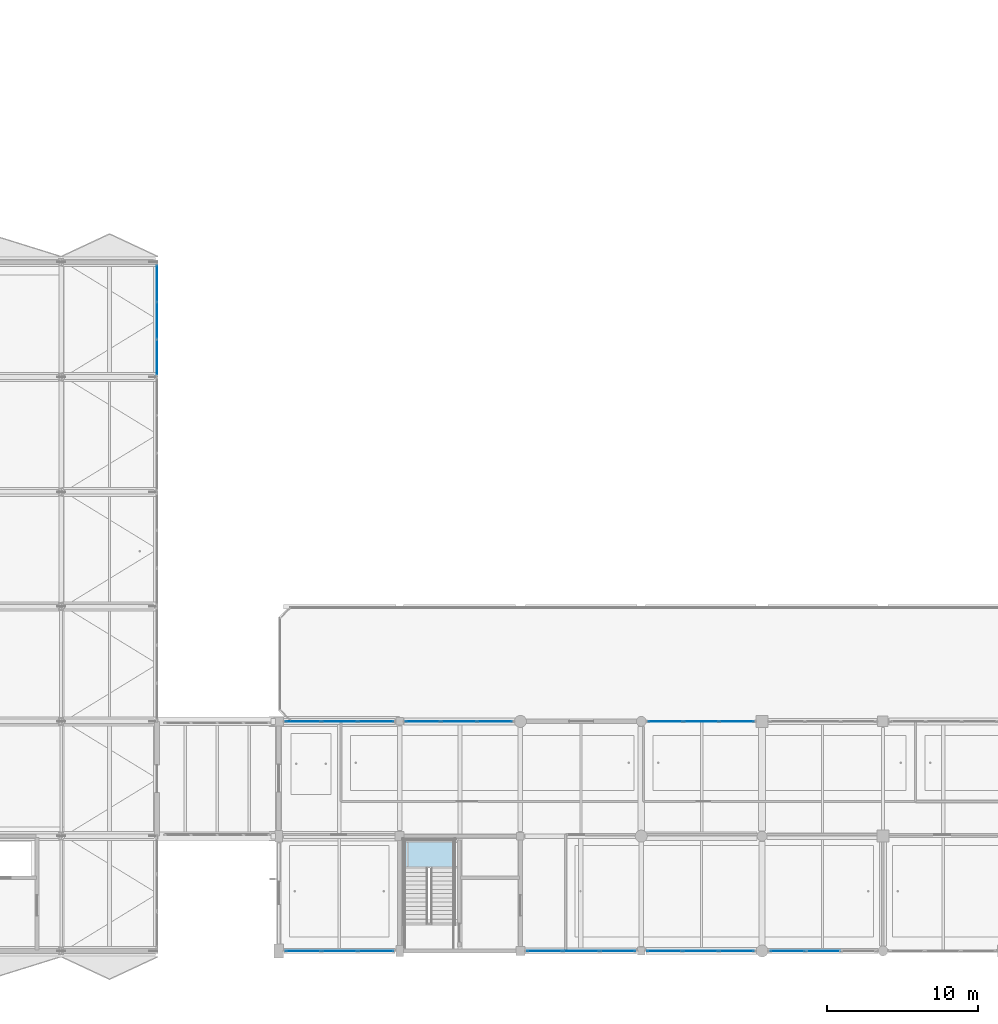
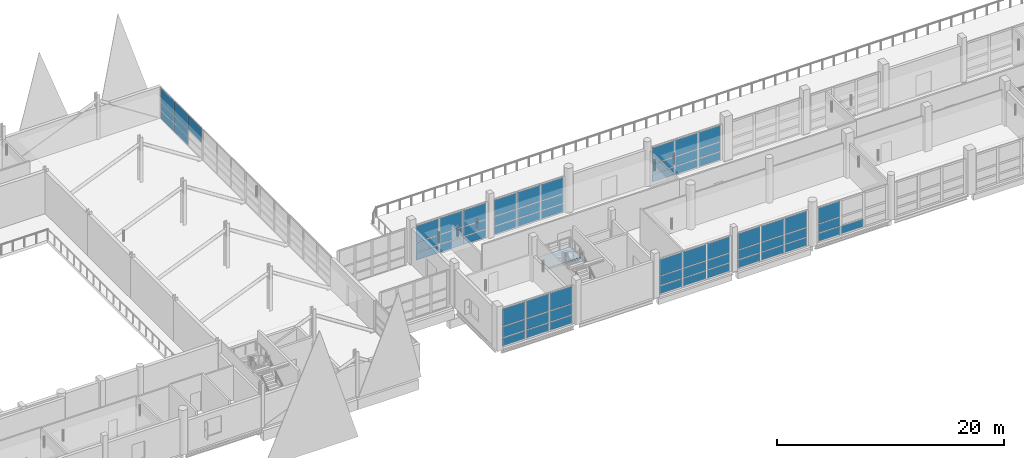
# One storey, part 70 of 147: 65 plates, 1 slab, 9 elements without a shape of their own.
"""IFC4 building model written with IfcOpenShell, lengths in metres."""

from ifc_helpers import new_model, si_unit, direction, frame, origin, origin_2d, place, context, subcontext, project, spatial, polyline, rectangle, outline, extrude, material, layer, layer_set, type_object, element, aggregate, save


model = new_model("IFC4")

# Units and contexts
model_context = context("Model", 3, precision=1e-05, world=origin(), true_north=direction((0.0, 1.0)))
body_context = subcontext(model_context, "Body", "Model", "MODEL_VIEW")
ifc_project = project(units=[si_unit("LENGTHUNIT", "METRE"), si_unit("AREAUNIT", "SQUARE_METRE"), si_unit("VOLUMEUNIT", "CUBIC_METRE"), si_unit("PLANEANGLEUNIT", "RADIAN"), si_unit("MASSUNIT", "GRAM", prefix="KILO")], contexts=[model_context])

# Site, building, storey
site_placement = place(None, origin())
site = spatial("IfcSite", under=ifc_project, at=site_placement, CompositionType="ELEMENT")
building_placement = place(site_placement, origin())
building = spatial("IfcBuilding", under=site, at=building_placement, Name="Khelvaren Railside Concert Hall", CompositionType="ELEMENT")
storey_placement = place(building_placement, frame((0.0, 0.0, 5.39990234375)))
storey = spatial("IfcBuildingStorey", under=building, at=storey_placement, Name="L01", CompositionType="ELEMENT", Elevation=5.39990234375)

# Curtain wall, plates
ifc_material_1 = material(Name="Acoustic laminated crystal facade glass", Category="glass")
curtain_wall_type_1 = type_object("IfcCurtainWallType", Name="CW54", PredefinedType="USERDEFINED", material=ifc_material_1)
curtain_wall_1_placement = place(storey_placement, origin())
curtain_wall_1 = element("IfcCurtainWall", 1, at=curtain_wall_1_placement, inside=storey, type_object=curtain_wall_type_1, Name="Unitised Curtain Wall CW-V3-L01-S-64", ObjectType="UNITISED CURTAIN WALL", PredefinedType="USERDEFINED")
ifc_layer_1 = layer(ifc_material_1, 0.0400390625)
ifc_layer_set_1 = layer_set([ifc_layer_1], Name="Acoustic laminated crystal facade glass")
plate_type_1 = type_object("IfcPlateType", Name="CWP77", PredefinedType="CURTAIN_PANEL", material=ifc_layer_set_1)
plate_1_placement = place(storey_placement, frame((70.435302734375, 0.0, 0.0849609375), z_axis=(0.0, 0.0, 1.0), x_axis=(-1.0, 0.0, 0.0)))
plate_1 = element("IfcPlate", 2, at=plate_1_placement, type_object=plate_type_1, Name="CW54 panel 1.1", PredefinedType="CURTAIN_PANEL", context=body_context, shape_type="SweptSolid", body=[
    extrude(rectangle(XDim=2.30419921875, YDim=0.0400390625, at=origin_2d()), origin(), (0.0, 0.0, 1.0), 0.822509765625),
])
plate_2_placement = place(storey_placement, frame((70.435302734375, 0.0, 0.99267578125), z_axis=(0.0, 0.0, 1.0), x_axis=(-1.0, 0.0, 0.0)))
plate_2 = element("IfcPlate", 3, at=plate_2_placement, type_object=plate_type_1, Name="CW54 panel 1.2", PredefinedType="CURTAIN_PANEL", context=body_context, shape_type="SweptSolid", body=[
    extrude(rectangle(XDim=2.30419921875, YDim=0.0400390625, at=origin_2d()), origin(), (0.0, 0.0, 1.0), 1.123046875),
])
plate_3_placement = place(storey_placement, frame((70.435302734375, 0.0, 2.20068359375), z_axis=(0.0, 0.0, 1.0), x_axis=(-1.0, 0.0, 0.0)))
plate_3 = element("IfcPlate", 4, at=plate_3_placement, type_object=plate_type_1, Name="CW54 panel 1.3", PredefinedType="CURTAIN_PANEL", context=body_context, shape_type="SweptSolid", body=[
    extrude(rectangle(XDim=2.30419921875, YDim=0.0400390625, at=origin_2d()), origin(), (0.0, 0.0, 1.0), 1.864501953125),
])
plate_4_placement = place(storey_placement, frame((68.02490234375, 0.0, 0.0849609375), z_axis=(0.0, 0.0, 1.0), x_axis=(-1.0, 0.0, 0.0)))
plate_4 = element("IfcPlate", 5, at=plate_4_placement, type_object=plate_type_1, Name="CW54 panel 2.1", PredefinedType="CURTAIN_PANEL", context=body_context, shape_type="SweptSolid", body=[
    extrude(rectangle(XDim=2.3466796875, YDim=0.0400390625, at=origin_2d()), origin(), (0.0, 0.0, 1.0), 0.822509765625),
])
plate_5_placement = place(storey_placement, frame((68.02490234375, 0.0, 0.99267578125), z_axis=(0.0, 0.0, 1.0), x_axis=(-1.0, 0.0, 0.0)))
plate_5 = element("IfcPlate", 6, at=plate_5_placement, type_object=plate_type_1, Name="CW54 panel 2.2", PredefinedType="CURTAIN_PANEL", context=body_context, shape_type="SweptSolid", body=[
    extrude(rectangle(XDim=2.3466796875, YDim=0.0400390625, at=origin_2d()), origin(), (0.0, 0.0, 1.0), 1.123046875),
])
plate_6_placement = place(storey_placement, frame((68.02490234375, 0.0, 2.20068359375), z_axis=(0.0, 0.0, 1.0), x_axis=(-1.0, 0.0, 0.0)))
plate_6 = element("IfcPlate", 7, at=plate_6_placement, type_object=plate_type_1, Name="CW54 panel 2.3", PredefinedType="CURTAIN_PANEL", context=body_context, shape_type="SweptSolid", body=[
    extrude(rectangle(XDim=2.3466796875, YDim=0.0400390625, at=origin_2d()), origin(), (0.0, 0.0, 1.0), 1.864501953125),
])
plate_7_placement = place(storey_placement, frame((65.614501953125, 0.0, 0.0849609375), z_axis=(0.0, 0.0, 1.0), x_axis=(-1.0, 0.0, 0.0)))
plate_7 = element("IfcPlate", 8, at=plate_7_placement, type_object=plate_type_1, Name="CW54 panel 3.1", PredefinedType="CURTAIN_PANEL", context=body_context, shape_type="SweptSolid", body=[
    extrude(rectangle(XDim=2.30419921875, YDim=0.0400390625, at=origin_2d()), origin(), (0.0, 0.0, 1.0), 0.822509765625),
])
plate_8_placement = place(storey_placement, frame((65.614501953125, 0.0, 0.99267578125), z_axis=(0.0, 0.0, 1.0), x_axis=(-1.0, 0.0, 0.0)))
plate_8 = element("IfcPlate", 9, at=plate_8_placement, type_object=plate_type_1, Name="CW54 panel 3.2", PredefinedType="CURTAIN_PANEL", context=body_context, shape_type="SweptSolid", body=[
    extrude(rectangle(XDim=2.30419921875, YDim=0.0400390625, at=origin_2d()), origin(), (0.0, 0.0, 1.0), 1.123046875),
])
plate_9_placement = place(storey_placement, frame((65.614501953125, 0.0, 2.20068359375), z_axis=(0.0, 0.0, 1.0), x_axis=(-1.0, 0.0, 0.0)))
plate_9 = element("IfcPlate", 10, at=plate_9_placement, type_object=plate_type_1, Name="CW54 panel 3.3", PredefinedType="CURTAIN_PANEL", context=body_context, shape_type="SweptSolid", body=[
    extrude(rectangle(XDim=2.30419921875, YDim=0.0400390625, at=origin_2d()), origin(), (0.0, 0.0, 1.0), 1.864501953125),
])
aggregate(curtain_wall_1, [plate_1, plate_2, plate_3, plate_4, plate_5, plate_6, plate_7, plate_8, plate_9])

curtain_wall_type_2 = type_object("IfcCurtainWallType", Name="CW66", PredefinedType="USERDEFINED", material=ifc_material_1)
curtain_wall_2_placement = place(storey_placement, origin())
curtain_wall_2 = element("IfcCurtainWall", 11, at=curtain_wall_2_placement, inside=storey, type_object=curtain_wall_type_2, Name="Unitised Curtain Wall CW-V3-L01-S-80", ObjectType="UNITISED CURTAIN WALL", PredefinedType="USERDEFINED")
plate_10_placement = place(storey_placement, frame((86.435302734375, 0.0, 0.0849609375), z_axis=(0.0, 0.0, 1.0), x_axis=(-1.0, 0.0, 0.0)))
plate_10 = element("IfcPlate", 12, at=plate_10_placement, type_object=plate_type_1, Name="CW66 panel 1.1", PredefinedType="CURTAIN_PANEL", context=body_context, shape_type="SweptSolid", body=[
    extrude(rectangle(XDim=2.30419921875, YDim=0.0400390625, at=origin_2d()), origin(), (0.0, 0.0, 1.0), 0.822509765625),
])
plate_11_placement = place(storey_placement, frame((86.435302734375, 0.0, 0.99267578125), z_axis=(0.0, 0.0, 1.0), x_axis=(-1.0, 0.0, 0.0)))
plate_11 = element("IfcPlate", 13, at=plate_11_placement, type_object=plate_type_1, Name="CW66 panel 1.2", PredefinedType="CURTAIN_PANEL", context=body_context, shape_type="SweptSolid", body=[
    extrude(rectangle(XDim=2.30419921875, YDim=0.0400390625, at=origin_2d()), origin(), (0.0, 0.0, 1.0), 0.967041015625),
])
plate_12_placement = place(storey_placement, frame((86.435302734375, 0.0, 2.04443359375), z_axis=(0.0, 0.0, 1.0), x_axis=(-1.0, 0.0, 0.0)))
plate_12 = element("IfcPlate", 14, at=plate_12_placement, type_object=plate_type_1, Name="CW66 panel 1.3", PredefinedType="CURTAIN_PANEL", context=body_context, shape_type="SweptSolid", body=[
    extrude(rectangle(XDim=2.30419921875, YDim=0.0400390625, at=origin_2d()), origin(), (0.0, 0.0, 1.0), 1.720458984375),
])
plate_13_placement = place(storey_placement, frame((84.02490234375, 0.0, 0.0849609375), z_axis=(0.0, 0.0, 1.0), x_axis=(-1.0, 0.0, 0.0)))
plate_13 = element("IfcPlate", 15, at=plate_13_placement, type_object=plate_type_1, Name="CW66 panel 2.1", PredefinedType="CURTAIN_PANEL", context=body_context, shape_type="SweptSolid", body=[
    extrude(rectangle(XDim=2.3466796875, YDim=0.0400390625, at=origin_2d()), origin(), (0.0, 0.0, 1.0), 0.822509765625),
])
plate_14_placement = place(storey_placement, frame((84.02490234375, 0.0, 0.99267578125), z_axis=(0.0, 0.0, 1.0), x_axis=(-1.0, 0.0, 0.0)))
plate_14 = element("IfcPlate", 16, at=plate_14_placement, type_object=plate_type_1, Name="CW66 panel 2.2", PredefinedType="CURTAIN_PANEL", context=body_context, shape_type="SweptSolid", body=[
    extrude(rectangle(XDim=2.3466796875, YDim=0.0400390625, at=origin_2d()), origin(), (0.0, 0.0, 1.0), 0.967041015625),
])
plate_15_placement = place(storey_placement, frame((84.02490234375, 0.0, 2.04443359375), z_axis=(0.0, 0.0, 1.0), x_axis=(-1.0, 0.0, 0.0)))
plate_15 = element("IfcPlate", 17, at=plate_15_placement, type_object=plate_type_1, Name="CW66 panel 2.3", PredefinedType="CURTAIN_PANEL", context=body_context, shape_type="SweptSolid", body=[
    extrude(rectangle(XDim=2.3466796875, YDim=0.0400390625, at=origin_2d()), origin(), (0.0, 0.0, 1.0), 1.720458984375),
])
plate_16_placement = place(storey_placement, frame((81.614501953125, 0.0, 0.0849609375), z_axis=(0.0, 0.0, 1.0), x_axis=(-1.0, 0.0, 0.0)))
plate_16 = element("IfcPlate", 18, at=plate_16_placement, type_object=plate_type_1, Name="CW66 panel 3.1", PredefinedType="CURTAIN_PANEL", context=body_context, shape_type="SweptSolid", body=[
    extrude(rectangle(XDim=2.30419921875, YDim=0.0400390625, at=origin_2d()), origin(), (0.0, 0.0, 1.0), 0.822509765625),
])
plate_17_placement = place(storey_placement, frame((81.614501953125, 0.0, 0.99267578125), z_axis=(0.0, 0.0, 1.0), x_axis=(-1.0, 0.0, 0.0)))
plate_17 = element("IfcPlate", 19, at=plate_17_placement, type_object=plate_type_1, Name="CW66 panel 3.2", PredefinedType="CURTAIN_PANEL", context=body_context, shape_type="SweptSolid", body=[
    extrude(rectangle(XDim=2.30419921875, YDim=0.0400390625, at=origin_2d()), origin(), (0.0, 0.0, 1.0), 0.967041015625),
])
plate_18_placement = place(storey_placement, frame((81.614501953125, 0.0, 2.04443359375), z_axis=(0.0, 0.0, 1.0), x_axis=(-1.0, 0.0, 0.0)))
plate_18 = element("IfcPlate", 20, at=plate_18_placement, type_object=plate_type_1, Name="CW66 panel 3.3", PredefinedType="CURTAIN_PANEL", context=body_context, shape_type="SweptSolid", body=[
    extrude(rectangle(XDim=2.30419921875, YDim=0.0400390625, at=origin_2d()), origin(), (0.0, 0.0, 1.0), 1.720458984375),
])
aggregate(curtain_wall_2, [plate_10, plate_11, plate_12, plate_13, plate_14, plate_15, plate_16, plate_17, plate_18])

curtain_wall_type_3 = type_object("IfcCurtainWallType", Name="CW21", PredefinedType="USERDEFINED", material=ifc_material_1)
curtain_wall_3_placement = place(storey_placement, origin())
curtain_wall_3 = element("IfcCurtainWall", 21, at=curtain_wall_3_placement, inside=storey, type_object=curtain_wall_type_3, Name="Unitised Curtain Wall CW-V3-L01-S-88", ObjectType="UNITISED CURTAIN WALL", PredefinedType="USERDEFINED")
plate_19_placement = place(storey_placement, frame((94.302001953125, 0.0, 0.0849609375), z_axis=(0.0, 0.0, 1.0), x_axis=(-1.0, 0.0, 0.0)))
plate_19 = element("IfcPlate", 22, at=plate_19_placement, type_object=plate_type_1, Name="CW21 panel 1.1", PredefinedType="CURTAIN_PANEL", context=body_context, shape_type="SweptSolid", body=[
    extrude(rectangle(XDim=2.270751953125, YDim=0.0400390625, at=origin_2d()), origin(), (0.0, 0.0, 1.0), 0.822509765625),
])
plate_20_placement = place(storey_placement, frame((94.302001953125, 0.0, 0.99267578125), z_axis=(0.0, 0.0, 1.0), x_axis=(-1.0, 0.0, 0.0)))
plate_20 = element("IfcPlate", 23, at=plate_20_placement, type_object=plate_type_1, Name="CW21 panel 1.2", PredefinedType="CURTAIN_PANEL", context=body_context, shape_type="SweptSolid", body=[
    extrude(rectangle(XDim=2.270751953125, YDim=0.0400390625, at=origin_2d()), origin(), (0.0, 0.0, 1.0), 0.967041015625),
])
plate_21_placement = place(storey_placement, frame((94.302001953125, 0.0, 2.04443359375), z_axis=(0.0, 0.0, 1.0), x_axis=(-1.0, 0.0, 0.0)))
plate_21 = element("IfcPlate", 24, at=plate_21_placement, type_object=plate_type_1, Name="CW21 panel 1.3", PredefinedType="CURTAIN_PANEL", context=body_context, shape_type="SweptSolid", body=[
    extrude(rectangle(XDim=2.270751953125, YDim=0.0400390625, at=origin_2d()), origin(), (0.0, 0.0, 1.0), 1.720458984375),
])
plate_22_placement = place(storey_placement, frame((91.925048828125, 0.0, 0.0849609375), z_axis=(0.0, 0.0, 1.0), x_axis=(-1.0, 0.0, 0.0)))
plate_22 = element("IfcPlate", 25, at=plate_22_placement, type_object=plate_type_1, Name="CW21 panel 2.1", PredefinedType="CURTAIN_PANEL", context=body_context, shape_type="SweptSolid", body=[
    extrude(rectangle(XDim=2.313232421875, YDim=0.0400390625, at=origin_2d()), origin(), (0.0, 0.0, 1.0), 0.822509765625),
])
plate_23_placement = place(storey_placement, frame((91.925048828125, 0.0, 0.99267578125), z_axis=(0.0, 0.0, 1.0), x_axis=(-1.0, 0.0, 0.0)))
plate_23 = element("IfcPlate", 26, at=plate_23_placement, type_object=plate_type_1, Name="CW21 panel 2.2", PredefinedType="CURTAIN_PANEL", context=body_context, shape_type="SweptSolid", body=[
    extrude(rectangle(XDim=2.313232421875, YDim=0.0400390625, at=origin_2d()), origin(), (0.0, 0.0, 1.0), 0.967041015625),
])
plate_24_placement = place(storey_placement, frame((91.925048828125, 0.0, 2.04443359375), z_axis=(0.0, 0.0, 1.0), x_axis=(-1.0, 0.0, 0.0)))
plate_24 = element("IfcPlate", 27, at=plate_24_placement, type_object=plate_type_1, Name="CW21 panel 2.3", PredefinedType="CURTAIN_PANEL", context=body_context, shape_type="SweptSolid", body=[
    extrude(rectangle(XDim=2.313232421875, YDim=0.0400390625, at=origin_2d()), origin(), (0.0, 0.0, 1.0), 1.720458984375),
])
plate_25_placement = place(storey_placement, frame((89.5478515625, 0.0, 0.0849609375), z_axis=(0.0, 0.0, 1.0), x_axis=(-1.0, 0.0, 0.0)))
plate_25 = element("IfcPlate", 28, at=plate_25_placement, type_object=plate_type_1, Name="CW21 panel 3.1", PredefinedType="CURTAIN_PANEL", context=body_context, shape_type="SweptSolid", body=[
    extrude(rectangle(XDim=2.270751953125, YDim=0.0400390625, at=origin_2d()), origin(), (0.0, 0.0, 1.0), 0.822509765625),
])
plate_26_placement = place(storey_placement, frame((89.5478515625, 0.0, 0.99267578125), z_axis=(0.0, 0.0, 1.0), x_axis=(-1.0, 0.0, 0.0)))
plate_26 = element("IfcPlate", 29, at=plate_26_placement, type_object=plate_type_1, Name="CW21 panel 3.2", PredefinedType="CURTAIN_PANEL", context=body_context, shape_type="SweptSolid", body=[
    extrude(rectangle(XDim=2.270751953125, YDim=0.0400390625, at=origin_2d()), origin(), (0.0, 0.0, 1.0), 0.967041015625),
])
plate_27_placement = place(storey_placement, frame((89.5478515625, 0.0, 2.04443359375), z_axis=(0.0, 0.0, 1.0), x_axis=(-1.0, 0.0, 0.0)))
plate_27 = element("IfcPlate", 30, at=plate_27_placement, type_object=plate_type_1, Name="CW21 panel 3.3", PredefinedType="CURTAIN_PANEL", context=body_context, shape_type="SweptSolid", body=[
    extrude(rectangle(XDim=2.270751953125, YDim=0.0400390625, at=origin_2d()), origin(), (0.0, 0.0, 1.0), 1.720458984375),
])
aggregate(curtain_wall_3, [plate_19, plate_20, plate_21, plate_22, plate_23, plate_24, plate_25, plate_26, plate_27])

curtain_wall_type_4 = type_object("IfcCurtainWallType", Name="CW15", PredefinedType="USERDEFINED", material=ifc_material_1)
curtain_wall_4_placement = place(storey_placement, origin())
curtain_wall_4 = element("IfcCurtainWall", 31, at=curtain_wall_4_placement, inside=storey, type_object=curtain_wall_type_4, Name="Unitised Curtain Wall CW-V3-L01-S-96", ObjectType="UNITISED CURTAIN WALL", PredefinedType="USERDEFINED")
plate_28_placement = place(storey_placement, frame((100.03759765625, 0.0, 0.0849609375), z_axis=(0.0, 0.0, 1.0), x_axis=(-1.0, 0.0, 0.0)))
plate_28 = element("IfcPlate", 32, at=plate_28_placement, type_object=plate_type_1, Name="CW15 panel 2.1", PredefinedType="CURTAIN_PANEL", context=body_context, shape_type="SweptSolid", body=[
    extrude(rectangle(XDim=2.288330078125, YDim=0.0400390625, at=origin_2d()), origin(), (0.0, 0.0, 1.0), 0.822509765625),
])
plate_29_placement = place(storey_placement, frame((97.685302734375, 0.0, 0.0849609375), z_axis=(0.0, 0.0, 1.0), x_axis=(-1.0, 0.0, 0.0)))
plate_29 = element("IfcPlate", 33, at=plate_29_placement, type_object=plate_type_1, Name="CW15 panel 3.1", PredefinedType="CURTAIN_PANEL", context=body_context, shape_type="SweptSolid", body=[
    extrude(rectangle(XDim=2.245849609375, YDim=0.0400390625, at=origin_2d()), origin(), (0.0, 0.0, 1.0), 0.822509765625),
])
plate_30_placement = place(storey_placement, frame((97.685302734375, 0.0, 0.99267578125), z_axis=(0.0, 0.0, 1.0), x_axis=(-1.0, 0.0, 0.0)))
plate_30 = element("IfcPlate", 34, at=plate_30_placement, type_object=plate_type_1, Name="CW15 panel 3.2", PredefinedType="CURTAIN_PANEL", context=body_context, shape_type="SweptSolid", body=[
    extrude(rectangle(XDim=2.245849609375, YDim=0.0400390625, at=origin_2d()), origin(), (0.0, 0.0, 1.0), 0.9150390625),
])
plate_31_placement = place(storey_placement, frame((97.685302734375, 0.0, 1.99267578125), z_axis=(0.0, 0.0, 1.0), x_axis=(-1.0, 0.0, 0.0)))
plate_31 = element("IfcPlate", 35, at=plate_31_placement, type_object=plate_type_1, Name="CW15 panel 3.3", PredefinedType="CURTAIN_PANEL", context=body_context, shape_type="SweptSolid", body=[
    extrude(rectangle(XDim=2.245849609375, YDim=0.0400390625, at=origin_2d()), origin(), (0.0, 0.0, 1.0), 1.672607421875),
])
aggregate(curtain_wall_4, [plate_28, plate_29, plate_30, plate_31])

curtain_wall_5_placement = place(storey_placement, origin())
curtain_wall_5 = element("IfcCurtainWall", 36, at=curtain_wall_5_placement, inside=storey, type_object=curtain_wall_type_4, Name="Unitised Curtain Wall CW-V3-L01-N-64", ObjectType="UNITISED CURTAIN WALL", PredefinedType="USERDEFINED")
plate_32_placement = place(storey_placement, frame((65.614501953125, 15.199951171875, 0.0849609375), z_axis=(0.0, 0.0, 1.0), x_axis=(1.0, 0.0, 0.0)))
plate_32 = element("IfcPlate", 37, at=plate_32_placement, type_object=plate_type_1, Name="CW15 panel 1.1", PredefinedType="CURTAIN_PANEL", context=body_context, shape_type="SweptSolid", body=[
    extrude(rectangle(XDim=2.30419921875, YDim=0.0400390625, at=origin_2d()), origin(), (0.0, 0.0, 1.0), 0.822509765625),
])
plate_33_placement = place(storey_placement, frame((65.614501953125, 15.199951171875, 0.99267578125), z_axis=(0.0, 0.0, 1.0), x_axis=(1.0, 0.0, 0.0)))
plate_33 = element("IfcPlate", 38, at=plate_33_placement, type_object=plate_type_1, Name="CW15 panel 1.2", PredefinedType="CURTAIN_PANEL", context=body_context, shape_type="SweptSolid", body=[
    extrude(rectangle(XDim=2.30419921875, YDim=0.0400390625, at=origin_2d()), origin(), (0.0, 0.0, 1.0), 0.967041015625),
])
plate_34_placement = place(storey_placement, frame((65.614501953125, 15.199951171875, 2.04443359375), z_axis=(0.0, 0.0, 1.0), x_axis=(1.0, 0.0, 0.0)))
plate_34 = element("IfcPlate", 39, at=plate_34_placement, type_object=plate_type_1, Name="CW15 panel 1.3", PredefinedType="CURTAIN_PANEL", context=body_context, shape_type="SweptSolid", body=[
    extrude(rectangle(XDim=2.30419921875, YDim=0.0400390625, at=origin_2d()), origin(), (0.0, 0.0, 1.0), 1.720458984375),
])
plate_35_placement = place(storey_placement, frame((68.02490234375, 15.199951171875, 0.0849609375), z_axis=(0.0, 0.0, 1.0), x_axis=(1.0, 0.0, 0.0)))
plate_35 = element("IfcPlate", 40, at=plate_35_placement, type_object=plate_type_1, Name="CW15 panel 2.1", PredefinedType="CURTAIN_PANEL", context=body_context, shape_type="SweptSolid", body=[
    extrude(rectangle(XDim=2.3466796875, YDim=0.0400390625, at=origin_2d()), origin(), (0.0, 0.0, 1.0), 0.822509765625),
])
plate_36_placement = place(storey_placement, frame((68.02490234375, 15.199951171875, 0.99267578125), z_axis=(0.0, 0.0, 1.0), x_axis=(1.0, 0.0, 0.0)))
plate_36 = element("IfcPlate", 41, at=plate_36_placement, type_object=plate_type_1, Name="CW15 panel 2.2", PredefinedType="CURTAIN_PANEL", context=body_context, shape_type="SweptSolid", body=[
    extrude(rectangle(XDim=2.3466796875, YDim=0.0400390625, at=origin_2d()), origin(), (0.0, 0.0, 1.0), 0.967041015625),
])
plate_37_placement = place(storey_placement, frame((68.02490234375, 15.199951171875, 2.04443359375), z_axis=(0.0, 0.0, 1.0), x_axis=(1.0, 0.0, 0.0)))
plate_37 = element("IfcPlate", 42, at=plate_37_placement, type_object=plate_type_1, Name="CW15 panel 2.3", PredefinedType="CURTAIN_PANEL", context=body_context, shape_type="SweptSolid", body=[
    extrude(rectangle(XDim=2.3466796875, YDim=0.0400390625, at=origin_2d()), origin(), (0.0, 0.0, 1.0), 1.720458984375),
])
plate_38_placement = place(storey_placement, frame((70.435302734375, 15.199951171875, 0.0849609375), z_axis=(0.0, 0.0, 1.0), x_axis=(1.0, 0.0, 0.0)))
plate_38 = element("IfcPlate", 43, at=plate_38_placement, type_object=plate_type_1, Name="CW15 panel 3.1", PredefinedType="CURTAIN_PANEL", context=body_context, shape_type="SweptSolid", body=[
    extrude(rectangle(XDim=2.30419921875, YDim=0.0400390625, at=origin_2d()), origin(), (0.0, 0.0, 1.0), 0.822509765625),
])
plate_39_placement = place(storey_placement, frame((70.435302734375, 15.199951171875, 0.99267578125), z_axis=(0.0, 0.0, 1.0), x_axis=(1.0, 0.0, 0.0)))
plate_39 = element("IfcPlate", 44, at=plate_39_placement, type_object=plate_type_1, Name="CW15 panel 3.2", PredefinedType="CURTAIN_PANEL", context=body_context, shape_type="SweptSolid", body=[
    extrude(rectangle(XDim=2.30419921875, YDim=0.0400390625, at=origin_2d()), origin(), (0.0, 0.0, 1.0), 0.967041015625),
])
plate_40_placement = place(storey_placement, frame((70.435302734375, 15.199951171875, 2.04443359375), z_axis=(0.0, 0.0, 1.0), x_axis=(1.0, 0.0, 0.0)))
plate_40 = element("IfcPlate", 45, at=plate_40_placement, type_object=plate_type_1, Name="CW15 panel 3.3", PredefinedType="CURTAIN_PANEL", context=body_context, shape_type="SweptSolid", body=[
    extrude(rectangle(XDim=2.30419921875, YDim=0.0400390625, at=origin_2d()), origin(), (0.0, 0.0, 1.0), 1.720458984375),
])
aggregate(curtain_wall_5, [plate_32, plate_33, plate_34, plate_35, plate_36, plate_37, plate_38, plate_39, plate_40])

curtain_wall_6_placement = place(storey_placement, origin())
curtain_wall_6 = element("IfcCurtainWall", 46, at=curtain_wall_6_placement, inside=storey, type_object=curtain_wall_type_1, Name="Unitised Curtain Wall CW-V3-L01-N-72", ObjectType="UNITISED CURTAIN WALL", PredefinedType="USERDEFINED")
plate_41_placement = place(storey_placement, frame((73.5478515625, 15.199951171875, 0.0849609375), z_axis=(0.0, 0.0, 1.0), x_axis=(1.0, 0.0, 0.0)))
plate_41 = element("IfcPlate", 47, at=plate_41_placement, type_object=plate_type_1, Name="CW54 panel 1.1", PredefinedType="CURTAIN_PANEL", context=body_context, shape_type="SweptSolid", body=[
    extrude(rectangle(XDim=2.270751953125, YDim=0.0400390625, at=origin_2d()), origin(), (0.0, 0.0, 1.0), 0.822509765625),
])
plate_42_placement = place(storey_placement, frame((73.5478515625, 15.199951171875, 0.99267578125), z_axis=(0.0, 0.0, 1.0), x_axis=(1.0, 0.0, 0.0)))
plate_42 = element("IfcPlate", 48, at=plate_42_placement, type_object=plate_type_1, Name="CW54 panel 1.2", PredefinedType="CURTAIN_PANEL", context=body_context, shape_type="SweptSolid", body=[
    extrude(rectangle(XDim=2.270751953125, YDim=0.0400390625, at=origin_2d()), origin(), (0.0, 0.0, 1.0), 0.967041015625),
])
plate_43_placement = place(storey_placement, frame((73.5478515625, 15.199951171875, 2.04443359375), z_axis=(0.0, 0.0, 1.0), x_axis=(1.0, 0.0, 0.0)))
plate_43 = element("IfcPlate", 49, at=plate_43_placement, type_object=plate_type_1, Name="CW54 panel 1.3", PredefinedType="CURTAIN_PANEL", context=body_context, shape_type="SweptSolid", body=[
    extrude(rectangle(XDim=2.270751953125, YDim=0.0400390625, at=origin_2d()), origin(), (0.0, 0.0, 1.0), 1.720458984375),
])
plate_44_placement = place(storey_placement, frame((75.925048828125, 15.199951171875, 0.0849609375), z_axis=(0.0, 0.0, 1.0), x_axis=(1.0, 0.0, 0.0)))
plate_44 = element("IfcPlate", 50, at=plate_44_placement, type_object=plate_type_1, Name="CW54 panel 2.1", PredefinedType="CURTAIN_PANEL", context=body_context, shape_type="SweptSolid", body=[
    extrude(rectangle(XDim=2.313232421875, YDim=0.0400390625, at=origin_2d()), origin(), (0.0, 0.0, 1.0), 0.822509765625),
])
plate_45_placement = place(storey_placement, frame((75.925048828125, 15.199951171875, 0.99267578125), z_axis=(0.0, 0.0, 1.0), x_axis=(1.0, 0.0, 0.0)))
plate_45 = element("IfcPlate", 51, at=plate_45_placement, type_object=plate_type_1, Name="CW54 panel 2.2", PredefinedType="CURTAIN_PANEL", context=body_context, shape_type="SweptSolid", body=[
    extrude(rectangle(XDim=2.313232421875, YDim=0.0400390625, at=origin_2d()), origin(), (0.0, 0.0, 1.0), 0.967041015625),
])
plate_46_placement = place(storey_placement, frame((75.925048828125, 15.199951171875, 2.04443359375), z_axis=(0.0, 0.0, 1.0), x_axis=(1.0, 0.0, 0.0)))
plate_46 = element("IfcPlate", 52, at=plate_46_placement, type_object=plate_type_1, Name="CW54 panel 2.3", PredefinedType="CURTAIN_PANEL", context=body_context, shape_type="SweptSolid", body=[
    extrude(rectangle(XDim=2.313232421875, YDim=0.0400390625, at=origin_2d()), origin(), (0.0, 0.0, 1.0), 1.720458984375),
])
plate_47_placement = place(storey_placement, frame((78.302001953125, 15.199951171875, 0.0849609375), z_axis=(0.0, 0.0, 1.0), x_axis=(1.0, 0.0, 0.0)))
plate_47 = element("IfcPlate", 53, at=plate_47_placement, type_object=plate_type_1, Name="CW54 panel 3.1", PredefinedType="CURTAIN_PANEL", context=body_context, shape_type="SweptSolid", body=[
    extrude(rectangle(XDim=2.270751953125, YDim=0.0400390625, at=origin_2d()), origin(), (0.0, 0.0, 1.0), 0.822509765625),
])
plate_48_placement = place(storey_placement, frame((78.302001953125, 15.199951171875, 0.99267578125), z_axis=(0.0, 0.0, 1.0), x_axis=(1.0, 0.0, 0.0)))
plate_48 = element("IfcPlate", 54, at=plate_48_placement, type_object=plate_type_1, Name="CW54 panel 3.2", PredefinedType="CURTAIN_PANEL", context=body_context, shape_type="SweptSolid", body=[
    extrude(rectangle(XDim=2.270751953125, YDim=0.0400390625, at=origin_2d()), origin(), (0.0, 0.0, 1.0), 0.967041015625),
])
plate_49_placement = place(storey_placement, frame((78.302001953125, 15.199951171875, 2.04443359375), z_axis=(0.0, 0.0, 1.0), x_axis=(1.0, 0.0, 0.0)))
plate_49 = element("IfcPlate", 55, at=plate_49_placement, type_object=plate_type_1, Name="CW54 panel 3.3", PredefinedType="CURTAIN_PANEL", context=body_context, shape_type="SweptSolid", body=[
    extrude(rectangle(XDim=2.270751953125, YDim=0.0400390625, at=origin_2d()), origin(), (0.0, 0.0, 1.0), 1.720458984375),
])
aggregate(curtain_wall_6, [plate_41, plate_42, plate_43, plate_44, plate_45, plate_46, plate_47, plate_48, plate_49])

curtain_wall_7_placement = place(storey_placement, origin())
curtain_wall_7 = element("IfcCurtainWall", 56, at=curtain_wall_7_placement, inside=storey, type_object=curtain_wall_type_2, Name="Unitised Curtain Wall CW-V3-L01-N-88", ObjectType="UNITISED CURTAIN WALL", PredefinedType="USERDEFINED")
plate_50_placement = place(storey_placement, frame((89.6103515625, 15.199951171875, 0.0849609375), z_axis=(0.0, 0.0, 1.0), x_axis=(1.0, 0.0, 0.0)))
plate_50 = element("IfcPlate", 57, at=plate_50_placement, type_object=plate_type_1, Name="CW66 panel 1.1", PredefinedType="CURTAIN_PANEL", context=body_context, shape_type="SweptSolid", body=[
    extrude(rectangle(XDim=2.245849609375, YDim=0.0400390625, at=origin_2d()), origin(), (0.0, 0.0, 1.0), 0.822509765625),
])
plate_51_placement = place(storey_placement, frame((89.6103515625, 15.199951171875, 0.99267578125), z_axis=(0.0, 0.0, 1.0), x_axis=(1.0, 0.0, 0.0)))
plate_51 = element("IfcPlate", 58, at=plate_51_placement, type_object=plate_type_1, Name="CW66 panel 1.2", PredefinedType="CURTAIN_PANEL", context=body_context, shape_type="SweptSolid", body=[
    extrude(rectangle(XDim=2.245849609375, YDim=0.0400390625, at=origin_2d()), origin(), (0.0, 0.0, 1.0), 0.967041015625),
])
plate_52_placement = place(storey_placement, frame((89.6103515625, 15.199951171875, 2.04443359375), z_axis=(0.0, 0.0, 1.0), x_axis=(1.0, 0.0, 0.0)))
plate_52 = element("IfcPlate", 59, at=plate_52_placement, type_object=plate_type_1, Name="CW66 panel 1.3", PredefinedType="CURTAIN_PANEL", context=body_context, shape_type="SweptSolid", body=[
    extrude(rectangle(XDim=2.245849609375, YDim=0.0400390625, at=origin_2d()), origin(), (0.0, 0.0, 1.0), 1.720458984375),
])
plate_53_placement = place(storey_placement, frame((91.96240234375, 15.199951171875, 0.0849609375), z_axis=(0.0, 0.0, 1.0), x_axis=(1.0, 0.0, 0.0)))
plate_53 = element("IfcPlate", 60, at=plate_53_placement, type_object=plate_type_1, Name="CW66 panel 2.1", PredefinedType="CURTAIN_PANEL", context=body_context, shape_type="SweptSolid", body=[
    extrude(rectangle(XDim=2.288330078125, YDim=0.0400390625, at=origin_2d()), origin(), (0.0, 0.0, 1.0), 0.822509765625),
])
plate_54_placement = place(storey_placement, frame((91.96240234375, 15.199951171875, 0.99267578125), z_axis=(0.0, 0.0, 1.0), x_axis=(1.0, 0.0, 0.0)))
plate_54 = element("IfcPlate", 61, at=plate_54_placement, type_object=plate_type_1, Name="CW66 panel 2.2", PredefinedType="CURTAIN_PANEL", context=body_context, shape_type="SweptSolid", body=[
    extrude(rectangle(XDim=2.288330078125, YDim=0.0400390625, at=origin_2d()), origin(), (0.0, 0.0, 1.0), 0.967041015625),
])
plate_55_placement = place(storey_placement, frame((91.96240234375, 15.199951171875, 2.04443359375), z_axis=(0.0, 0.0, 1.0), x_axis=(1.0, 0.0, 0.0)))
plate_55 = element("IfcPlate", 62, at=plate_55_placement, type_object=plate_type_1, Name="CW66 panel 2.3", PredefinedType="CURTAIN_PANEL", context=body_context, shape_type="SweptSolid", body=[
    extrude(rectangle(XDim=2.288330078125, YDim=0.0400390625, at=origin_2d()), origin(), (0.0, 0.0, 1.0), 1.720458984375),
])
plate_56_placement = place(storey_placement, frame((94.314697265625, 15.199951171875, 0.0849609375), z_axis=(0.0, 0.0, 1.0), x_axis=(1.0, 0.0, 0.0)))
plate_56 = element("IfcPlate", 63, at=plate_56_placement, type_object=plate_type_1, Name="CW66 panel 3.1", PredefinedType="CURTAIN_PANEL", context=body_context, shape_type="SweptSolid", body=[
    extrude(rectangle(XDim=2.245849609375, YDim=0.0400390625, at=origin_2d()), origin(), (0.0, 0.0, 1.0), 0.822509765625),
])
plate_57_placement = place(storey_placement, frame((94.314697265625, 15.199951171875, 0.99267578125), z_axis=(0.0, 0.0, 1.0), x_axis=(1.0, 0.0, 0.0)))
plate_57 = element("IfcPlate", 64, at=plate_57_placement, type_object=plate_type_1, Name="CW66 panel 3.2", PredefinedType="CURTAIN_PANEL", context=body_context, shape_type="SweptSolid", body=[
    extrude(rectangle(XDim=2.245849609375, YDim=0.0400390625, at=origin_2d()), origin(), (0.0, 0.0, 1.0), 0.967041015625),
])
plate_58_placement = place(storey_placement, frame((94.314697265625, 15.199951171875, 2.04443359375), z_axis=(0.0, 0.0, 1.0), x_axis=(1.0, 0.0, 0.0)))
plate_58 = element("IfcPlate", 65, at=plate_58_placement, type_object=plate_type_1, Name="CW66 panel 3.3", PredefinedType="CURTAIN_PANEL", context=body_context, shape_type="SweptSolid", body=[
    extrude(rectangle(XDim=2.245849609375, YDim=0.0400390625, at=origin_2d()), origin(), (0.0, 0.0, 1.0), 1.720458984375),
])
aggregate(curtain_wall_7, [plate_50, plate_51, plate_52, plate_53, plate_54, plate_55, plate_56, plate_57, plate_58])

ifc_material_2 = material(Name="Double-glazed low-E dark acoustic glass", Category="glass")
curtain_wall_type_5 = type_object("IfcCurtainWallType", Name="CW69", PredefinedType="USERDEFINED", material=ifc_material_2)
curtain_wall_8_placement = place(storey_placement, origin())
curtain_wall_8 = element("IfcCurtainWall", 66, at=curtain_wall_8_placement, inside=storey, type_object=curtain_wall_type_5, Name="Unitised Curtain Wall CW-V1-L01-E-38", ObjectType="UNITISED CURTAIN WALL", PredefinedType="USERDEFINED")
ifc_layer_2 = layer(ifc_material_2, 0.031982421875)
ifc_layer_set_2 = layer_set([ifc_layer_2], Name="Double-glazed low-E dark acoustic glass")
plate_type_2 = type_object("IfcPlateType", Name="CWP84", PredefinedType="CURTAIN_PANEL", material=ifc_layer_set_2)
plate_59_placement = place(storey_placement, frame((55.93994140625, 44.1904296875, 0.065185546875), z_axis=(0.0, 0.0, 1.0), x_axis=(0.0, -1.0, 0.0)))
plate_59 = element("IfcPlate", 67, at=plate_59_placement, type_object=plate_type_2, Name="CW69 panel 1.1", PredefinedType="CURTAIN_PANEL", context=body_context, shape_type="SweptSolid", body=[
    extrude(rectangle(XDim=2.369140625, YDim=0.031982421875, at=origin_2d()), origin(), (0.0, 0.0, 1.0), 0.8525390625),
])
plate_60_placement = place(storey_placement, frame((55.93994140625, 44.1904296875, 0.982666015625), z_axis=(0.0, 0.0, 1.0), x_axis=(0.0, -1.0, 0.0)))
plate_60 = element("IfcPlate", 68, at=plate_60_placement, type_object=plate_type_2, Name="CW69 panel 1.2", PredefinedType="CURTAIN_PANEL", context=body_context, shape_type="SweptSolid", body=[
    extrude(rectangle(XDim=2.369140625, YDim=0.031982421875, at=origin_2d()), origin(), (0.0, 0.0, 1.0), 0.7529296875),
])
plate_61_placement = place(storey_placement, frame((55.93994140625, 44.1904296875, 1.80078125), z_axis=(0.0, 0.0, 1.0), x_axis=(0.0, -1.0, 0.0)))
plate_61 = element("IfcPlate", 69, at=plate_61_placement, type_object=plate_type_2, Name="CW69 panel 1.3", PredefinedType="CURTAIN_PANEL", context=body_context, shape_type="SweptSolid", body=[
    extrude(rectangle(XDim=2.369140625, YDim=0.031982421875, at=origin_2d()), origin(), (0.0, 0.0, 1.0), 1.534423828125),
])
plate_62_placement = place(storey_placement, frame((55.93994140625, 41.739990234375, 0.065185546875), z_axis=(0.0, 0.0, 1.0), x_axis=(0.0, -1.0, 0.0)))
plate_62 = element("IfcPlate", 70, at=plate_62_placement, type_object=plate_type_2, Name="CW69 panel 2.1", PredefinedType="CURTAIN_PANEL", context=body_context, shape_type="SweptSolid", body=[
    extrude(rectangle(XDim=2.401611328125, YDim=0.031982421875, at=origin_2d()), origin(), (0.0, 0.0, 1.0), 0.8525390625),
])
plate_63_placement = place(storey_placement, frame((55.93994140625, 41.739990234375, 0.982666015625), z_axis=(0.0, 0.0, 1.0), x_axis=(0.0, -1.0, 0.0)))
plate_63 = element("IfcPlate", 71, at=plate_63_placement, type_object=plate_type_2, Name="CW69 panel 2.2", PredefinedType="CURTAIN_PANEL", context=body_context, shape_type="SweptSolid", body=[
    extrude(rectangle(XDim=2.401611328125, YDim=0.031982421875, at=origin_2d()), origin(), (0.0, 0.0, 1.0), 0.7529296875),
])
plate_64_placement = place(storey_placement, frame((55.93994140625, 41.739990234375, 1.80078125), z_axis=(0.0, 0.0, 1.0), x_axis=(0.0, -1.0, 0.0)))
plate_64 = element("IfcPlate", 72, at=plate_64_placement, type_object=plate_type_2, Name="CW69 panel 2.3", PredefinedType="CURTAIN_PANEL", context=body_context, shape_type="SweptSolid", body=[
    extrude(rectangle(XDim=2.401611328125, YDim=0.031982421875, at=origin_2d()), origin(), (0.0, 0.0, 1.0), 1.534423828125),
])
plate_65_placement = place(storey_placement, frame((55.93994140625, 39.28955078125, 1.80078125), z_axis=(0.0, 0.0, 1.0), x_axis=(0.0, -1.0, 0.0)))
plate_65 = element("IfcPlate", 73, at=plate_65_placement, type_object=plate_type_2, Name="CW69 panel 3.3", PredefinedType="CURTAIN_PANEL", context=body_context, shape_type="SweptSolid", body=[
    extrude(rectangle(XDim=2.369140625, YDim=0.031982421875, at=origin_2d()), origin(), (0.0, 0.0, 1.0), 1.534423828125),
])
aggregate(curtain_wall_8, [plate_59, plate_60, plate_61, plate_62, plate_63, plate_64, plate_65])

# Stair, slab
ifc_material_3 = material(Name="Concrete C40/50", Category="concrete")
stair_type = type_object("IfcStairType", Name="ST70", PredefinedType="HALF_TURN_STAIR", material=ifc_material_3)
stair_placement = place(storey_placement, origin())
stair = element("IfcStair", 74, at=stair_placement, inside=storey, type_object=stair_type, Name="L01 Core Exit Stair ST-05", PredefinedType="HALF_TURN_STAIR")
ifc_layer_3 = layer(ifc_material_3, 0.199951171875)
ifc_layer_set_3 = layer_set([ifc_layer_3], Name="Concrete C40/50")
slab_type = type_object("IfcSlabType", Name="LND67", PredefinedType="LANDING", material=ifc_layer_set_3)
slab_placement = place(storey_placement, frame((0.0, 0.0, 2.2001953125)))
slab = element("IfcSlab", 75, at=slab_placement, type_object=slab_type, Name="ST-05 landing 1", PredefinedType="LANDING", context=body_context, shape_type="SweptSolid", body=[
    extrude(outline(polyline([(75.6201171875, 5.47998046875), (75.6201171875, 7.360107421875), (72.300048828125, 7.360107421875), (72.300048828125, 5.47998046875), (75.6201171875, 5.47998046875)])), origin(), (0.0, 0.0, 1.0), 0.199951171875),
])
aggregate(stair, [slab])

save(model, "model.ifc")
